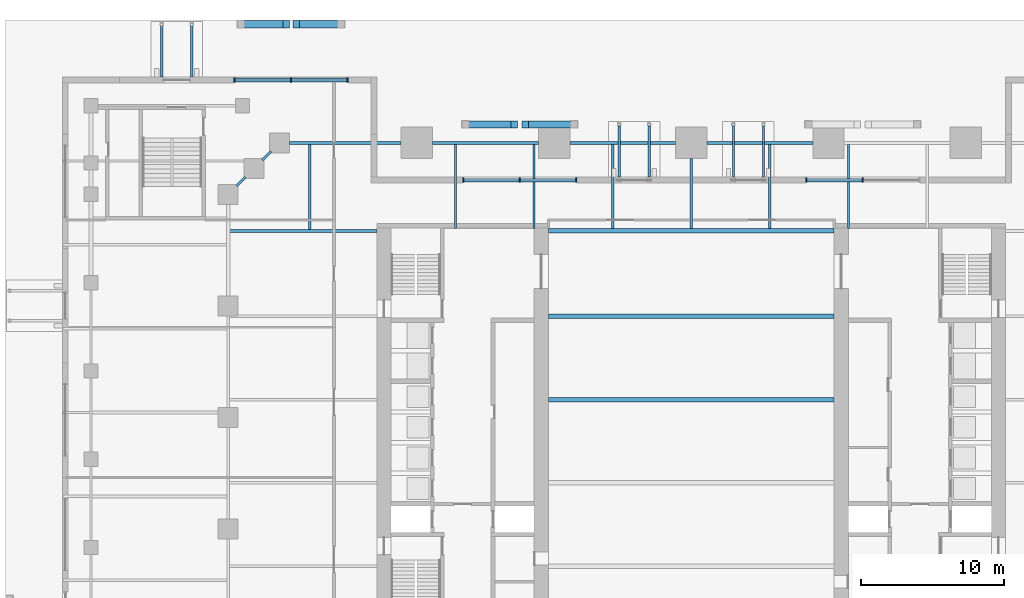
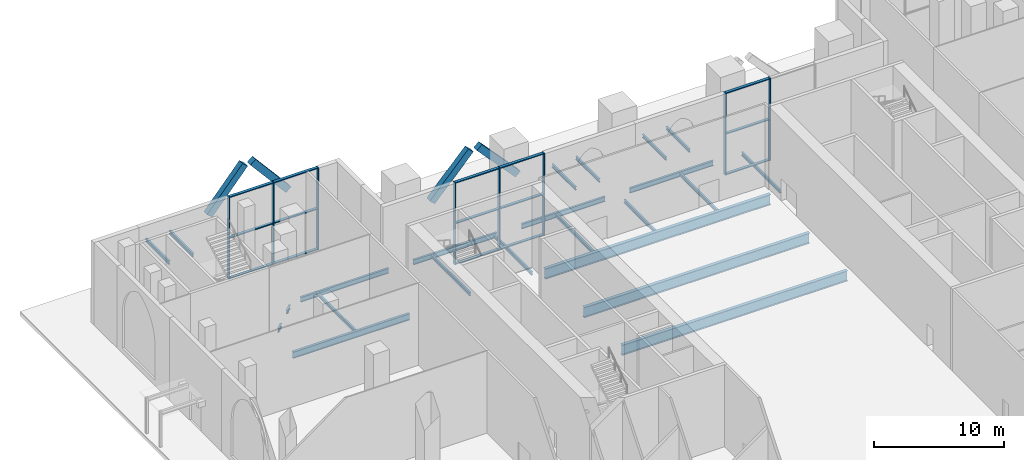
# One storey, part 23 of 38: 27 members, 23 beams, 3 elements without a shape of their own.
"""IFC4 building model written with IfcOpenShell, lengths in metres."""

from ifc_helpers import new_model, si_unit, direction, frame, origin, origin_2d, place, context, subcontext, project, spatial, rectangle, i_section, extrude, material, material_profile, profile_set, type_object, element, aggregate, save


model = new_model("IFC4")

# Units and contexts
model_context = context("Model", 3, precision=1e-05, world=origin(), true_north=direction((0.0, 1.0)))
body_context = subcontext(model_context, "Body", "Model", "MODEL_VIEW")
ifc_project = project(units=[si_unit("LENGTHUNIT", "METRE"), si_unit("AREAUNIT", "SQUARE_METRE"), si_unit("VOLUMEUNIT", "CUBIC_METRE"), si_unit("PLANEANGLEUNIT", "RADIAN"), si_unit("MASSUNIT", "GRAM", prefix="KILO")], contexts=[model_context])

# Site, building, storey
site_placement = place(None, origin())
site = spatial("IfcSite", under=ifc_project, at=site_placement, CompositionType="ELEMENT")
building_placement = place(site_placement, origin())
building = spatial("IfcBuilding", under=site, at=building_placement, Name="Ogive Exchange Tower", CompositionType="ELEMENT")
storey_placement = place(building_placement, origin())
storey = spatial("IfcBuildingStorey", under=building, at=storey_placement, Name="L00", CompositionType="ELEMENT", Elevation=0.0)

# Members
ifc_material_1 = material(Name="Concrete C70/85", Category="concrete")
ifc_material_profile_1 = material_profile(ifc_material_1, rectangle(XDim=0.5, YDim=0.60009765625, at=origin_2d()), Name="PC 500x600")
ifc_profile_set_1 = profile_set([ifc_material_profile_1], Name="Concrete C70/85")
member_type_1 = type_object("IfcMemberType", Name="Arch rib 500x600", PredefinedType="USERDEFINED", material=ifc_profile_set_1)
for number, where, z_axis, x_axis, name in (
    (1, (-8.199951171875, 32.699951171875, 3.5), (-0.679788220837, 0.0, 0.733408463826), (0.0, -1.0, 0.0), "Arch rib"),
    (2, (-15.800048828125, 32.699951171875, 3.5), (0.679788220837, 0.0, 0.733408463826), (0.0, 1.0, 0.0), "Arch rib"),
):
    element("IfcMember", number, at=place(storey_placement, frame(where, z_axis=z_axis, x_axis=x_axis)), inside=storey, type_object=member_type_1, Name=name, ObjectType="ARCH RIB", PredefinedType="USERDEFINED", context=body_context, shape_type="SweptSolid", body=[
        extrude(rectangle(XDim=0.5, YDim=0.60009765625, at=origin_2d()), origin(), (0.0, 0.0, 1.0), 5.03125),
    ])
for number, where, z_axis, x_axis, name in (
    (3, (-24.5, 39.699951171875, 3.5), (-0.64925670005, 0.0, 0.760569350842), (0.0, -1.0, 0.0), "Arch rib"),
    (4, (-31.5, 39.699951171875, 3.5), (0.64925670005, 0.0, 0.760569350842), (0.0, 1.0, 0.0), "Arch rib"),
):
    element("IfcMember", number, at=place(storey_placement, frame(where, z_axis=z_axis, x_axis=x_axis)), inside=storey, type_object=member_type_1, Name=name, ObjectType="ARCH RIB", PredefinedType="USERDEFINED", context=body_context, shape_type="SweptSolid", body=[
        extrude(rectangle(XDim=0.5, YDim=0.60009765625, at=origin_2d()), origin(), (0.0, 0.0, 1.0), 4.8515625),
    ])

# Curtain wall, members
ifc_material_2 = material(Name="Anodised aluminium and clear glass", Category="aluminium")
curtain_wall_type = type_object("IfcCurtainWallType", Name="Exchange hall glazing", PredefinedType="NOTDEFINED", material=ifc_material_2)
curtain_wall_1_placement = place(storey_placement, origin())
curtain_wall_1 = element("IfcCurtainWall", 5, at=curtain_wall_1_placement, inside=storey, type_object=curtain_wall_type, Name="Exchange hall glazing run HG32", PredefinedType="NOTDEFINED")
ifc_material_3 = material(Name="Anodised aluminium", Category="aluminium")
ifc_material_profile_2 = material_profile(ifc_material_3, rectangle(XDim=0.300048828125, YDim=0.090087890625, at=origin_2d()), Name="AL 90x300")
ifc_profile_set_2 = profile_set([ifc_material_profile_2], Name="Anodised aluminium")
member_type_2 = type_object("IfcMemberType", Name="Exchange hall glazing mullion 90 x 300", PredefinedType="MULLION", material=ifc_profile_set_2)
member_1_placement = place(storey_placement, frame((12.0, 28.800048828125, 0.0), z_axis=(0.0, 0.0, 1.0), x_axis=(0.0, -1.0, 0.0)))
member_1 = element("IfcMember", 6, at=member_1_placement, type_object=member_type_2, Name="HG32 mullion 2", PredefinedType="MULLION", context=body_context, shape_type="SweptSolid", body=[
    extrude(rectangle(XDim=0.300048828125, YDim=0.090087890625, at=origin_2d()), origin(), (0.0, 0.0, 1.0), 7.699951171875),
])
member_2_placement = place(storey_placement, frame((8.044921875, 28.800048828125, 0.0), z_axis=(0.0, 0.0, 1.0), x_axis=(0.0, -1.0, 0.0)))
member_2 = element("IfcMember", 7, at=member_2_placement, type_object=member_type_2, Name="HG32 mullion 3", PredefinedType="MULLION", context=body_context, shape_type="SweptSolid", body=[
    extrude(rectangle(XDim=0.300048828125, YDim=0.090087890625, at=origin_2d()), origin(), (0.0, 0.0, 1.0), 7.699951171875),
])

curtain_wall_2_placement = place(storey_placement, origin())
curtain_wall_2 = element("IfcCurtainWall", 8, at=curtain_wall_2_placement, inside=storey, type_object=curtain_wall_type, Name="Exchange hall glazing run HG35", PredefinedType="NOTDEFINED")
member_3_placement = place(storey_placement, frame((-8.044921875, 28.800048828125, 0.0), z_axis=(0.0, 0.0, 1.0), x_axis=(0.0, -1.0, 0.0)))
member_3 = element("IfcMember", 9, at=member_3_placement, type_object=member_type_2, Name="HG35 mullion 1", PredefinedType="MULLION", context=body_context, shape_type="SweptSolid", body=[
    extrude(rectangle(XDim=0.300048828125, YDim=0.090087890625, at=origin_2d()), origin(), (0.0, 0.0, 1.0), 7.699951171875),
])
member_4_placement = place(storey_placement, frame((-12.0, 28.800048828125, 0.0), z_axis=(0.0, 0.0, 1.0), x_axis=(0.0, -1.0, 0.0)))
member_4 = element("IfcMember", 10, at=member_4_placement, type_object=member_type_2, Name="HG35 mullion 2", PredefinedType="MULLION", context=body_context, shape_type="SweptSolid", body=[
    extrude(rectangle(XDim=0.300048828125, YDim=0.090087890625, at=origin_2d()), origin(), (0.0, 0.0, 1.0), 7.699951171875),
])
member_5_placement = place(storey_placement, frame((-15.955078125, 28.800048828125, 0.0), z_axis=(0.0, 0.0, 1.0), x_axis=(0.0, -1.0, 0.0)))
member_5 = element("IfcMember", 11, at=member_5_placement, type_object=member_type_2, Name="HG35 mullion 3", PredefinedType="MULLION", context=body_context, shape_type="SweptSolid", body=[
    extrude(rectangle(XDim=0.300048828125, YDim=0.090087890625, at=origin_2d()), origin(), (0.0, 0.0, 1.0), 7.699951171875),
])

curtain_wall_3_placement = place(storey_placement, origin())
curtain_wall_3 = element("IfcCurtainWall", 12, at=curtain_wall_3_placement, inside=storey, type_object=curtain_wall_type, Name="Exchange hall glazing run HG40", PredefinedType="NOTDEFINED")
member_6_placement = place(storey_placement, frame((-24.044921875, 35.800048828125, 0.0), z_axis=(0.0, 0.0, 1.0), x_axis=(0.0, -1.0, 0.0)))
member_6 = element("IfcMember", 13, at=member_6_placement, type_object=member_type_2, Name="HG40 mullion 1", PredefinedType="MULLION", context=body_context, shape_type="SweptSolid", body=[
    extrude(rectangle(XDim=0.300048828125, YDim=0.090087890625, at=origin_2d()), origin(), (0.0, 0.0, 1.0), 7.699951171875),
])
member_7_placement = place(storey_placement, frame((-28.0, 35.800048828125, 0.0), z_axis=(0.0, 0.0, 1.0), x_axis=(0.0, -1.0, 0.0)))
member_7 = element("IfcMember", 14, at=member_7_placement, type_object=member_type_2, Name="HG40 mullion 2", PredefinedType="MULLION", context=body_context, shape_type="SweptSolid", body=[
    extrude(rectangle(XDim=0.300048828125, YDim=0.090087890625, at=origin_2d()), origin(), (0.0, 0.0, 1.0), 7.699951171875),
])
member_8_placement = place(storey_placement, frame((-31.955078125, 35.800048828125, 0.0), z_axis=(0.0, 0.0, 1.0), x_axis=(0.0, -1.0, 0.0)))
member_8 = element("IfcMember", 15, at=member_8_placement, type_object=member_type_2, Name="HG40 mullion 3", PredefinedType="MULLION", context=body_context, shape_type="SweptSolid", body=[
    extrude(rectangle(XDim=0.300048828125, YDim=0.090087890625, at=origin_2d()), origin(), (0.0, 0.0, 1.0), 7.699951171875),
])

# Member
ifc_material_profile_3 = material_profile(ifc_material_3, rectangle(XDim=0.25, YDim=0.090087890625, at=origin_2d()), Name="AL 90x250")
ifc_profile_set_3 = profile_set([ifc_material_profile_3], Name="Anodised aluminium")
member_type_3 = type_object("IfcMemberType", Name="Exchange hall glazing transom 90 x 250", PredefinedType="USERDEFINED", material=ifc_profile_set_3)
member_9_placement = place(storey_placement, frame((11.955078125, 28.800048828125, 0.044921875), z_axis=(-1.0, 0.0, 0.0), x_axis=(0.0, -1.0, 0.0)))
member_9 = element("IfcMember", 16, at=member_9_placement, type_object=member_type_3, Name="HG32 transom 2.1", ObjectType="TRANSOM", PredefinedType="USERDEFINED", context=body_context, shape_type="SweptSolid", body=[
    extrude(rectangle(XDim=0.25, YDim=0.090087890625, at=origin_2d()), origin(), (0.0, 0.0, 1.0), 3.864990234375),
])

member_10_placement = place(storey_placement, frame((11.955078125, 28.800048828125, 3.85009765625), z_axis=(-1.0, 0.0, 0.0), x_axis=(0.0, -1.0, 0.0)))
member_10 = element("IfcMember", 17, at=member_10_placement, type_object=member_type_3, Name="HG32 transom 2.2", ObjectType="TRANSOM", PredefinedType="USERDEFINED", context=body_context, shape_type="SweptSolid", body=[
    extrude(rectangle(XDim=0.25, YDim=0.090087890625, at=origin_2d()), origin(), (0.0, 0.0, 1.0), 3.864990234375),
])

member_11_placement = place(storey_placement, frame((11.955078125, 28.800048828125, 7.655029296875), z_axis=(-1.0, 0.0, 0.0), x_axis=(0.0, -1.0, 0.0)))
member_11 = element("IfcMember", 18, at=member_11_placement, type_object=member_type_3, Name="HG32 transom 2.3", ObjectType="TRANSOM", PredefinedType="USERDEFINED", context=body_context, shape_type="SweptSolid", body=[
    extrude(rectangle(XDim=0.25, YDim=0.090087890625, at=origin_2d()), origin(), (0.0, 0.0, 1.0), 3.864990234375),
])

aggregate(curtain_wall_1, [member_1, member_2, member_9, member_10, member_11])

member_12_placement = place(storey_placement, frame((-8.090087890625, 28.800048828125, 0.044921875), z_axis=(-1.0, 0.0, 0.0), x_axis=(0.0, -1.0, 0.0)))
member_12 = element("IfcMember", 19, at=member_12_placement, type_object=member_type_3, Name="HG35 transom 1.1", ObjectType="TRANSOM", PredefinedType="USERDEFINED", context=body_context, shape_type="SweptSolid", body=[
    extrude(rectangle(XDim=0.25, YDim=0.090087890625, at=origin_2d()), origin(), (0.0, 0.0, 1.0), 3.864990234375),
])

member_13_placement = place(storey_placement, frame((-8.090087890625, 28.800048828125, 3.85009765625), z_axis=(-1.0, 0.0, 0.0), x_axis=(0.0, -1.0, 0.0)))
member_13 = element("IfcMember", 20, at=member_13_placement, type_object=member_type_3, Name="HG35 transom 1.2", ObjectType="TRANSOM", PredefinedType="USERDEFINED", context=body_context, shape_type="SweptSolid", body=[
    extrude(rectangle(XDim=0.25, YDim=0.090087890625, at=origin_2d()), origin(), (0.0, 0.0, 1.0), 3.864990234375),
])

member_14_placement = place(storey_placement, frame((-8.090087890625, 28.800048828125, 7.655029296875), z_axis=(-1.0, 0.0, 0.0), x_axis=(0.0, -1.0, 0.0)))
member_14 = element("IfcMember", 21, at=member_14_placement, type_object=member_type_3, Name="HG35 transom 1.3", ObjectType="TRANSOM", PredefinedType="USERDEFINED", context=body_context, shape_type="SweptSolid", body=[
    extrude(rectangle(XDim=0.25, YDim=0.090087890625, at=origin_2d()), origin(), (0.0, 0.0, 1.0), 3.864990234375),
])

member_15_placement = place(storey_placement, frame((-12.044921875, 28.800048828125, 0.044921875), z_axis=(-1.0, 0.0, 0.0), x_axis=(0.0, -1.0, 0.0)))
member_15 = element("IfcMember", 22, at=member_15_placement, type_object=member_type_3, Name="HG35 transom 2.1", ObjectType="TRANSOM", PredefinedType="USERDEFINED", context=body_context, shape_type="SweptSolid", body=[
    extrude(rectangle(XDim=0.25, YDim=0.090087890625, at=origin_2d()), origin(), (0.0, 0.0, 1.0), 3.864990234375),
])

member_16_placement = place(storey_placement, frame((-12.044921875, 28.800048828125, 3.85009765625), z_axis=(-1.0, 0.0, 0.0), x_axis=(0.0, -1.0, 0.0)))
member_16 = element("IfcMember", 23, at=member_16_placement, type_object=member_type_3, Name="HG35 transom 2.2", ObjectType="TRANSOM", PredefinedType="USERDEFINED", context=body_context, shape_type="SweptSolid", body=[
    extrude(rectangle(XDim=0.25, YDim=0.090087890625, at=origin_2d()), origin(), (0.0, 0.0, 1.0), 3.864990234375),
])

member_17_placement = place(storey_placement, frame((-12.044921875, 28.800048828125, 7.655029296875), z_axis=(-1.0, 0.0, 0.0), x_axis=(0.0, -1.0, 0.0)))
member_17 = element("IfcMember", 24, at=member_17_placement, type_object=member_type_3, Name="HG35 transom 2.3", ObjectType="TRANSOM", PredefinedType="USERDEFINED", context=body_context, shape_type="SweptSolid", body=[
    extrude(rectangle(XDim=0.25, YDim=0.090087890625, at=origin_2d()), origin(), (0.0, 0.0, 1.0), 3.864990234375),
])

aggregate(curtain_wall_2, [member_3, member_4, member_5, member_12, member_13, member_14, member_15, member_16, member_17])

member_18_placement = place(storey_placement, frame((-24.090087890625, 35.800048828125, 0.044921875), z_axis=(-1.0, 0.0, 0.0), x_axis=(0.0, -1.0, 0.0)))
member_18 = element("IfcMember", 25, at=member_18_placement, type_object=member_type_3, Name="HG40 transom 1.1", ObjectType="TRANSOM", PredefinedType="USERDEFINED", context=body_context, shape_type="SweptSolid", body=[
    extrude(rectangle(XDim=0.25, YDim=0.090087890625, at=origin_2d()), origin(), (0.0, 0.0, 1.0), 3.864990234375),
])

member_19_placement = place(storey_placement, frame((-24.090087890625, 35.800048828125, 3.85009765625), z_axis=(-1.0, 0.0, 0.0), x_axis=(0.0, -1.0, 0.0)))
member_19 = element("IfcMember", 26, at=member_19_placement, type_object=member_type_3, Name="HG40 transom 1.2", ObjectType="TRANSOM", PredefinedType="USERDEFINED", context=body_context, shape_type="SweptSolid", body=[
    extrude(rectangle(XDim=0.25, YDim=0.090087890625, at=origin_2d()), origin(), (0.0, 0.0, 1.0), 3.864990234375),
])

member_20_placement = place(storey_placement, frame((-24.090087890625, 35.800048828125, 7.655029296875), z_axis=(-1.0, 0.0, 0.0), x_axis=(0.0, -1.0, 0.0)))
member_20 = element("IfcMember", 27, at=member_20_placement, type_object=member_type_3, Name="HG40 transom 1.3", ObjectType="TRANSOM", PredefinedType="USERDEFINED", context=body_context, shape_type="SweptSolid", body=[
    extrude(rectangle(XDim=0.25, YDim=0.090087890625, at=origin_2d()), origin(), (0.0, 0.0, 1.0), 3.864990234375),
])

member_21_placement = place(storey_placement, frame((-28.044921875, 35.800048828125, 0.044921875), z_axis=(-1.0, 0.0, 0.0), x_axis=(0.0, -1.0, 0.0)))
member_21 = element("IfcMember", 28, at=member_21_placement, type_object=member_type_3, Name="HG40 transom 2.1", ObjectType="TRANSOM", PredefinedType="USERDEFINED", context=body_context, shape_type="SweptSolid", body=[
    extrude(rectangle(XDim=0.25, YDim=0.090087890625, at=origin_2d()), origin(), (0.0, 0.0, 1.0), 3.864990234375),
])

member_22_placement = place(storey_placement, frame((-28.044921875, 35.800048828125, 3.85009765625), z_axis=(-1.0, 0.0, 0.0), x_axis=(0.0, -1.0, 0.0)))
member_22 = element("IfcMember", 29, at=member_22_placement, type_object=member_type_3, Name="HG40 transom 2.2", ObjectType="TRANSOM", PredefinedType="USERDEFINED", context=body_context, shape_type="SweptSolid", body=[
    extrude(rectangle(XDim=0.25, YDim=0.090087890625, at=origin_2d()), origin(), (0.0, 0.0, 1.0), 3.864990234375),
])

member_23_placement = place(storey_placement, frame((-28.044921875, 35.800048828125, 7.655029296875), z_axis=(-1.0, 0.0, 0.0), x_axis=(0.0, -1.0, 0.0)))
member_23 = element("IfcMember", 30, at=member_23_placement, type_object=member_type_3, Name="HG40 transom 2.3", ObjectType="TRANSOM", PredefinedType="USERDEFINED", context=body_context, shape_type="SweptSolid", body=[
    extrude(rectangle(XDim=0.25, YDim=0.090087890625, at=origin_2d()), origin(), (0.0, 0.0, 1.0), 3.864990234375),
])

aggregate(curtain_wall_3, [member_6, member_7, member_8, member_18, member_19, member_20, member_21, member_22, member_23])

# Beams
ifc_material_4 = material(Name="Steel ASTM A992 Gr50", Category="steel")
ifc_material_profile_4 = material_profile(ifc_material_4, i_section(OverallWidth=0.300048828125, OverallDepth=0.969970703125, WebThickness=0.01611328125, FlangeThickness=0.02099609375, at=origin_2d()), Name="W1000x222")
ifc_profile_set_4 = profile_set([ifc_material_profile_4], Name="Steel ASTM A992 Gr50")
beam_type_1 = type_object("IfcBeamType", Name="Floor beam W1000x222", PredefinedType="JOIST", material=ifc_profile_set_4)
for number, where, z_axis, x_axis, name in (
    (31, (-10.0, 13.438720703125, -0.784912109375), (1.0, 0.0, 0.0), (0.0, 1.0, 0.0), "Floor beam"),
    (32, (-10.0, 19.264404296875, -0.784912109375), (1.0, 0.0, 0.0), (0.0, 1.0, 0.0), "Floor beam"),
):
    element("IfcBeam", number, at=place(storey_placement, frame(where, z_axis=z_axis, x_axis=x_axis)), inside=storey, type_object=beam_type_1, Name=name, PredefinedType="JOIST", context=body_context, shape_type="SweptSolid", body=[
        extrude(i_section(OverallWidth=0.300048828125, OverallDepth=0.969970703125, WebThickness=0.01611328125, FlangeThickness=0.02099609375, at=origin_2d()), origin(), (0.0, 0.0, 1.0), 20.0),
    ])
ifc_material_profile_5 = material_profile(ifc_material_4, i_section(OverallWidth=0.1650390625, OverallDepth=0.31005859375, WebThickness=0.005859375, FlangeThickness=0.009765625, at=origin_2d()), Name="W310x38.7")
ifc_profile_set_5 = profile_set([ifc_material_profile_5], Name="Steel ASTM A992 Gr50")
beam_type_2 = type_object("IfcBeamType", Name="Floor beam W310x38.7", PredefinedType="JOIST", material=ifc_profile_set_5)
for number, where, z_axis, x_axis, name in (
    (33, (-16.5, 25.39990234375, -0.554931640625), (0.0, 1.0, 0.0), (-1.0, 0.0, 0.0), "Floor beam"),
    (34, (-11.0, 25.39990234375, -0.554931640625), (0.0, 1.0, 0.0), (-1.0, 0.0, 0.0), "Floor beam"),
):
    element("IfcBeam", number, at=place(storey_placement, frame(where, z_axis=z_axis, x_axis=x_axis)), inside=storey, type_object=beam_type_2, Name=name, PredefinedType="JOIST", context=body_context, shape_type="SweptSolid", body=[
        extrude(i_section(OverallWidth=0.1650390625, OverallDepth=0.31005859375, WebThickness=0.005859375, FlangeThickness=0.009765625, at=origin_2d()), origin(), (0.0, 0.0, 1.0), 5.904541015625),
    ])
beam_1_placement = place(storey_placement, frame((-5.5, 25.39501953125, -0.554931640625), z_axis=(0.0, 1.0, 0.0), x_axis=(-1.0, 0.0, 0.0)))
element("IfcBeam", 35, at=beam_1_placement, inside=storey, type_object=beam_type_2, Name="Floor beam", PredefinedType="JOIST", context=body_context, shape_type="SweptSolid", body=[
    extrude(i_section(OverallWidth=0.1650390625, OverallDepth=0.31005859375, WebThickness=0.005859375, FlangeThickness=0.009765625, at=origin_2d()), origin(), (0.0, 0.0, 1.0), 5.909423828125),
])
beam_2_placement = place(storey_placement, frame((0.0, 25.39501953125, -0.554931640625), z_axis=(0.0, 1.0, 0.0), x_axis=(-1.0, 0.0, 0.0)))
element("IfcBeam", 36, at=beam_2_placement, inside=storey, type_object=beam_type_2, Name="Floor beam", PredefinedType="JOIST", context=body_context, shape_type="SweptSolid", body=[
    extrude(i_section(OverallWidth=0.1650390625, OverallDepth=0.31005859375, WebThickness=0.005859375, FlangeThickness=0.009765625, at=origin_2d()), origin(), (0.0, 0.0, 1.0), 4.905029296875),
])
beam_3_placement = place(storey_placement, frame((5.5, 25.39501953125, -0.554931640625), z_axis=(0.0, 1.0, 0.0), x_axis=(-1.0, 0.0, 0.0)))
element("IfcBeam", 37, at=beam_3_placement, inside=storey, type_object=beam_type_2, Name="Floor beam", PredefinedType="JOIST", context=body_context, shape_type="SweptSolid", body=[
    extrude(i_section(OverallWidth=0.1650390625, OverallDepth=0.31005859375, WebThickness=0.005859375, FlangeThickness=0.009765625, at=origin_2d()), origin(), (0.0, 0.0, 1.0), 5.909423828125),
])
beam_4_placement = place(storey_placement, frame((11.0, 25.39990234375, -0.554931640625), z_axis=(0.0, 1.0, 0.0), x_axis=(-1.0, 0.0, 0.0)))
element("IfcBeam", 38, at=beam_4_placement, inside=storey, type_object=beam_type_2, Name="Floor beam", PredefinedType="JOIST", context=body_context, shape_type="SweptSolid", body=[
    extrude(i_section(OverallWidth=0.1650390625, OverallDepth=0.31005859375, WebThickness=0.005859375, FlangeThickness=0.009765625, at=origin_2d()), origin(), (0.0, 0.0, 1.0), 5.904541015625),
])
beam_5_placement = place(storey_placement, frame((-26.699951171875, 25.35888671875, -0.455078125), z_axis=(0.0, 1.0, 0.0), x_axis=(-1.0, 0.0, 0.0)))
element("IfcBeam", 39, at=beam_5_placement, inside=storey, type_object=beam_type_2, Name="Floor beam", PredefinedType="JOIST", context=body_context, shape_type="SweptSolid", body=[
    extrude(i_section(OverallWidth=0.1650390625, OverallDepth=0.31005859375, WebThickness=0.005859375, FlangeThickness=0.009765625, at=origin_2d()), origin(), (0.0, 0.0, 1.0), 5.945556640625),
])
ifc_material_profile_6 = material_profile(ifc_material_4, i_section(OverallWidth=0.300048828125, OverallDepth=0.97998046875, WebThickness=0.0166015625, FlangeThickness=0.026123046875, at=origin_2d()), Name="W1000x249")
ifc_profile_set_6 = profile_set([ifc_material_profile_6], Name="Steel ASTM A992 Gr50")
beam_type_3 = type_object("IfcBeamType", Name="Girder W1000x249", PredefinedType="BEAM", material=ifc_profile_set_6)
beam_6_placement = place(storey_placement, frame((-10.0, 25.2451171875, -0.7900390625), z_axis=(1.0, 0.0, 0.0), x_axis=(0.0, 1.0, 0.0)))
element("IfcBeam", 40, at=beam_6_placement, inside=storey, type_object=beam_type_3, Name="Header girder", PredefinedType="BEAM", context=body_context, shape_type="SweptSolid", body=[
    extrude(i_section(OverallWidth=0.300048828125, OverallDepth=0.97998046875, WebThickness=0.0166015625, FlangeThickness=0.026123046875, at=origin_2d()), origin(), (0.0, 0.0, 1.0), 20.0),
])
ifc_material_profile_7 = material_profile(ifc_material_4, i_section(OverallWidth=0.1650390625, OverallDepth=0.31005859375, WebThickness=0.005859375, FlangeThickness=0.009765625, at=origin_2d()), Name="W310x38.7")
ifc_profile_set_7 = profile_set([ifc_material_profile_7], Name="Steel ASTM A992 Gr50")
beam_type_4 = type_object("IfcBeamType", Name="Girder W310x38.7", PredefinedType="BEAM", material=ifc_profile_set_7)
for number, where, z_axis, x_axis, name in (
    (41, (-29.39404296875, 30.805908203125, -0.455078125), (-0.707247821729, -0.706965712506, 0.0), (0.706965712506, -0.707247821729, 0.0), "Girder"),
    (42, (-31.194091796875, 29.006103515625, -0.455078125), (-0.706965712506, -0.707247821729, 0.0), (0.707247821729, -0.706965712506, 0.0), "Girder"),
):
    element("IfcBeam", number, at=place(storey_placement, frame(where, z_axis=z_axis, x_axis=x_axis)), inside=storey, type_object=beam_type_4, Name=name, PredefinedType="BEAM", context=body_context, shape_type="SweptSolid", body=[
        extrude(i_section(OverallWidth=0.1650390625, OverallDepth=0.31005859375, WebThickness=0.005859375, FlangeThickness=0.009765625, at=origin_2d()), origin(), (0.0, 0.0, 1.0), 0.865478515625),
    ])
for number, where, z_axis, x_axis, name in (
    (43, (5.050048828125, 29.0, 3.14501953125), (0.0, 1.0, 0.0), (-1.0, 0.0, 0.0), "Canopy beam"),
    (44, (2.949951171875, 29.0, 3.14501953125), (0.0, 1.0, 0.0), (-1.0, 0.0, 0.0), "Canopy beam"),
    (45, (-2.949951171875, 29.0, 3.14501953125), (0.0, 1.0, 0.0), (-1.0, 0.0, 0.0), "Canopy beam"),
    (46, (-5.050048828125, 29.0, 3.14501953125), (0.0, 1.0, 0.0), (-1.0, 0.0, 0.0), "Canopy beam"),
    (47, (-34.949951171875, 36.0, 3.14501953125), (0.0, 1.0, 0.0), (-1.0, 0.0, 0.0), "Canopy beam"),
    (48, (-37.050048828125, 36.0, 3.14501953125), (0.0, 1.0, 0.0), (-1.0, 0.0, 0.0), "Canopy beam"),
):
    element("IfcBeam", number, at=place(storey_placement, frame(where, z_axis=z_axis, x_axis=x_axis)), inside=storey, type_object=beam_type_4, Name=name, PredefinedType="BEAM", context=body_context, shape_type="SweptSolid", body=[
        extrude(i_section(OverallWidth=0.1650390625, OverallDepth=0.31005859375, WebThickness=0.005859375, FlangeThickness=0.009765625, at=origin_2d()), origin(), (0.0, 0.0, 1.0), 3.598388671875),
    ])
ifc_material_profile_8 = material_profile(ifc_material_4, i_section(OverallWidth=0.19091796875, OverallDepth=0.45703125, WebThickness=0.009033203125, FlangeThickness=0.014404296875, at=origin_2d()), Name="W460x74")
ifc_profile_set_8 = profile_set([ifc_material_profile_8], Name="Steel ASTM A992 Gr50")
beam_type_5 = type_object("IfcBeamType", Name="Girder W460x74", PredefinedType="BEAM", material=ifc_profile_set_8)
for number, where, z_axis, x_axis, name in (
    (49, (8.5, 31.39990234375, -0.62841796875), (-1.0, 0.0, 0.0), (0.0, -1.0, 0.0), "Girder"),
    (50, (-1.10009765625, 31.39990234375, -0.62841796875), (-1.0, 0.0, 0.0), (0.0, -1.0, 0.0), "Girder"),
):
    element("IfcBeam", number, at=place(storey_placement, frame(where, z_axis=z_axis, x_axis=x_axis)), inside=storey, type_object=beam_type_5, Name=name, PredefinedType="BEAM", context=body_context, shape_type="SweptSolid", body=[
        extrude(i_section(OverallWidth=0.19091796875, OverallDepth=0.45703125, WebThickness=0.009033203125, FlangeThickness=0.014404296875, at=origin_2d()), origin(), (0.0, 0.0, 1.0), 7.39990234375),
    ])
beam_7_placement = place(storey_placement, frame((-10.699951171875, 31.39990234375, -0.62841796875), z_axis=(-1.0, 0.0, 0.0), x_axis=(0.0, -1.0, 0.0)))
element("IfcBeam", 51, at=beam_7_placement, inside=storey, type_object=beam_type_5, Name="Girder", PredefinedType="BEAM", context=body_context, shape_type="SweptSolid", body=[
    extrude(i_section(OverallWidth=0.19091796875, OverallDepth=0.45703125, WebThickness=0.009033203125, FlangeThickness=0.014404296875, at=origin_2d()), origin(), (0.0, 0.0, 1.0), 7.400146484375),
])
beam_8_placement = place(storey_placement, frame((-20.300048828125, 31.39990234375, -0.62841796875), z_axis=(-1.0, 0.0, 0.0), x_axis=(0.0, -1.0, 0.0)))
element("IfcBeam", 52, at=beam_8_placement, inside=storey, type_object=beam_type_5, Name="Girder", PredefinedType="BEAM", context=body_context, shape_type="SweptSolid", body=[
    extrude(i_section(OverallWidth=0.19091796875, OverallDepth=0.45703125, WebThickness=0.009033203125, FlangeThickness=0.014404296875, at=origin_2d()), origin(), (0.0, 0.0, 1.0), 7.800048828125),
])
ifc_material_profile_9 = material_profile(ifc_material_4, i_section(OverallWidth=0.22802734375, OverallDepth=0.60205078125, WebThickness=0.010498046875, FlangeThickness=0.014892578125, at=origin_2d()), Name="W610x101")
ifc_profile_set_9 = profile_set([ifc_material_profile_9], Name="Steel ASTM A992 Gr50")
beam_type_6 = type_object("IfcBeamType", Name="Girder W610x101", PredefinedType="BEAM", material=ifc_profile_set_9)
beam_9_placement = place(storey_placement, frame((-22.0, 25.2451171875, -0.60107421875), z_axis=(-1.0, 0.0, 0.0), x_axis=(0.0, -1.0, 0.0)))
element("IfcBeam", 53, at=beam_9_placement, inside=storey, type_object=beam_type_6, Name="Header girder", PredefinedType="BEAM", context=body_context, shape_type="SweptSolid", body=[
    extrude(i_section(OverallWidth=0.22802734375, OverallDepth=0.60205078125, WebThickness=0.010498046875, FlangeThickness=0.014892578125, at=origin_2d()), origin(), (0.0, 0.0, 1.0), 10.344970703125),
])

save(model, "model.ifc")
